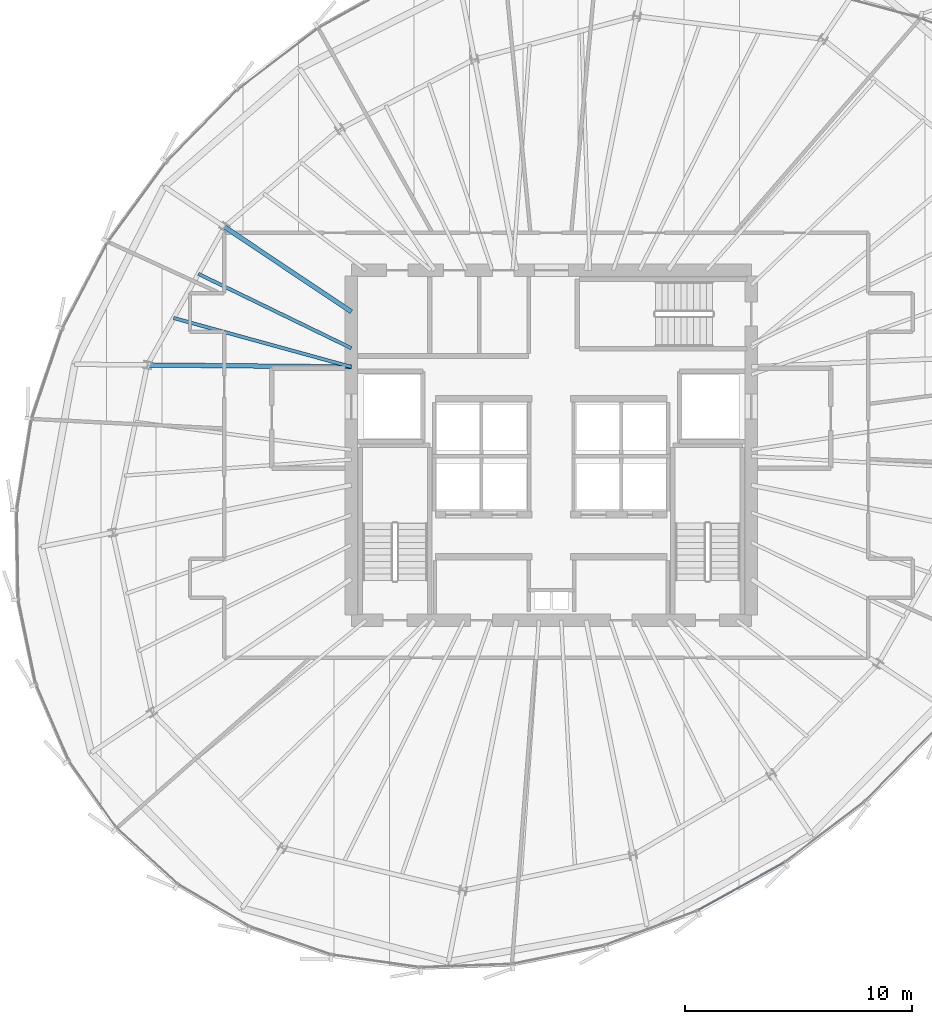
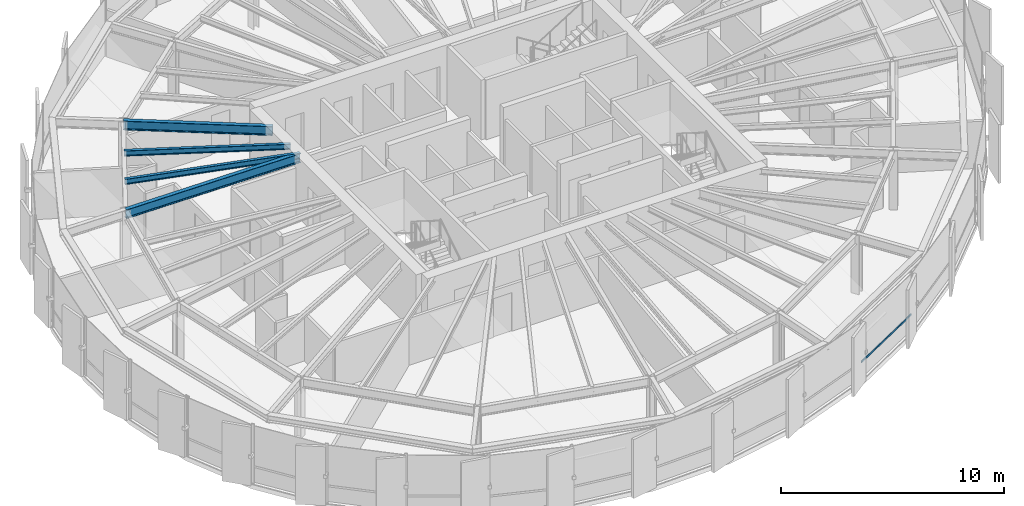
# One storey, part 13 of 37: 4 beams, 1 member, 1 element without a shape of its own.
"""IFC4 building model written with IfcOpenShell, lengths in metres."""

from ifc_helpers import new_model, si_unit, direction, frame, origin, origin_2d, place, context, subcontext, project, spatial, hollow_rectangle, i_section, extrude, source, transform, mapped, material, layer, layer_set, material_profile, profile_set, type_object, element, aggregate, save


model = new_model("IFC4")

# Units and contexts
model_context = context("Model", 3, precision=1e-05, world=origin(), true_north=direction((0.0, 1.0)))
body_context = subcontext(model_context, "Body", "Model", "MODEL_VIEW")
ifc_project = project(units=[si_unit("LENGTHUNIT", "METRE"), si_unit("AREAUNIT", "SQUARE_METRE"), si_unit("VOLUMEUNIT", "CUBIC_METRE"), si_unit("PLANEANGLEUNIT", "RADIAN"), si_unit("MASSUNIT", "GRAM", prefix="KILO"), si_unit("THERMODYNAMICTEMPERATUREUNIT", "KELVIN")], contexts=[model_context])

# Site, building, storey
site_placement = place(None, origin())
site = spatial("IfcSite", under=ifc_project, at=site_placement, CompositionType="ELEMENT")
building_placement = place(site_placement, origin())
building = spatial("IfcBuilding", under=site, at=building_placement, Name="Kethvar Cultural Tower", CompositionType="ELEMENT")
storey_placement = place(building_placement, frame((0.0, 0.0, 200.89990234375)))
storey = spatial("IfcBuildingStorey", under=building, at=storey_placement, Name="L52", CompositionType="ELEMENT", Elevation=200.89990234375)

# Beams
ifc_material_1 = material(Name="Steel S355J2", Category="steel")
ifc_material_profile_1 = material_profile(ifc_material_1, i_section(OverallWidth=0.199951171875, OverallDepth=0.5, WebThickness=0.01025390625, FlangeThickness=0.01611328125, FilletRadius=0.02099609375, at=origin_2d()), Name="Steel S355J2 — IPE500")
ifc_profile_set_1 = profile_set([ifc_material_profile_1], Name="Steel S355J2 — IPE500")
beam_type_1 = type_object("IfcBeamType", Name="BM-IPE500", PredefinedType="BEAM", material=ifc_profile_set_1)
shared_shape_1 = source(origin(), body_context, "Body", "SweptSolid", [
    extrude(i_section(OverallWidth=0.199951171875, OverallDepth=0.5, WebThickness=0.01025390625, FlangeThickness=0.01611328125, FilletRadius=0.02099609375, at=origin_2d()), origin(), (0.0, 0.0, 1.0), 6.713134765625),
])
beam_1_placement = place(storey_placement, frame((38.0, 33.679931640625, 3.008056640625), z_axis=(-0.831479157792, 0.55555594692, 0.0), x_axis=(-0.55555594692, -0.831479157792, 0.0)))
element("IfcBeam", 1, at=beam_1_placement, inside=storey, type_object=beam_type_1, Name="L52 Primary Radial Beam RB-07", PredefinedType="BEAM", context=body_context, shape_type="MappedRepresentation", body=[
    mapped(shared_shape_1, transform((0.0, 0.0, 0.0), scale=1.0)),
])
shared_shape_2 = source(origin(), body_context, "Body", "SweptSolid", [
    extrude(i_section(OverallWidth=0.199951171875, OverallDepth=0.5, WebThickness=0.01025390625, FlangeThickness=0.01611328125, FilletRadius=0.02099609375, at=origin_2d()), origin(), (0.0, 0.0, 1.0), 8.9755859375),
])
beam_2_placement = place(storey_placement, frame((38.0, 31.25, 3.008056640625), z_axis=(-0.999954421893, 0.00954746755, 0.0), x_axis=(-0.00954746755, -0.999954421893, 0.0)))
element("IfcBeam", 2, at=beam_2_placement, inside=storey, type_object=beam_type_1, Name="L52 Primary Radial Beam RB-08", PredefinedType="BEAM", context=body_context, shape_type="MappedRepresentation", body=[
    mapped(shared_shape_2, transform((0.0, 0.0, 0.0), scale=1.0)),
])
ifc_material_profile_2 = material_profile(ifc_material_1, i_section(OverallWidth=0.14990234375, OverallDepth=0.300048828125, WebThickness=0.007080078125, FlangeThickness=0.0107421875, FilletRadius=0.014892578125, at=origin_2d()), Name="Steel S355J2 — IPE300")
ifc_profile_set_2 = profile_set([ifc_material_profile_2], Name="Steel S355J2 — IPE300")
beam_type_2 = type_object("IfcBeamType", Name="BM-J300", PredefinedType="JOIST", material=ifc_profile_set_2)
shared_shape_3 = source(origin(), body_context, "Body", "SweptSolid", [
    extrude(i_section(OverallWidth=0.14990234375, OverallDepth=0.300048828125, WebThickness=0.007080078125, FlangeThickness=0.0107421875, FilletRadius=0.014892578125, at=origin_2d()), origin(), (0.0, 0.0, 1.0), 7.48779296875),
])
beam_3_placement = place(storey_placement, frame((38.0, 32.073486328125, 3.108154296875), z_axis=(-0.8995385432, 0.436841400623, 0.0), x_axis=(-0.436841400623, -0.8995385432, 0.0)))
element("IfcBeam", 3, at=beam_3_placement, inside=storey, type_object=beam_type_2, Name="L52 Composite Floor Joist J-07A", PredefinedType="JOIST", context=body_context, shape_type="MappedRepresentation", body=[
    mapped(shared_shape_3, transform((0.0, 0.0, 0.0), scale=1.0)),
])
shared_shape_4 = source(origin(), body_context, "Body", "SweptSolid", [
    extrude(i_section(OverallWidth=0.14990234375, OverallDepth=0.300048828125, WebThickness=0.007080078125, FlangeThickness=0.0107421875, FilletRadius=0.014892578125, at=origin_2d()), origin(), (0.0, 0.0, 1.0), 8.111572265625),
])
beam_4_placement = place(storey_placement, frame((38.0, 31.25, 3.108154296875), z_axis=(-0.96420462331, 0.265159281164, 0.0), x_axis=(-0.265159281164, -0.96420462331, 0.0)))
element("IfcBeam", 4, at=beam_4_placement, inside=storey, type_object=beam_type_2, Name="L52 Composite Floor Joist J-07B", PredefinedType="JOIST", context=body_context, shape_type="MappedRepresentation", body=[
    mapped(shared_shape_4, transform((0.0, 0.0, 0.0), scale=1.0)),
])

# Curtain wall, member
ifc_material_2 = material(Name="Aluminium 6063-T6", Category="aluminium")
ifc_layer = layer(ifc_material_2, 0.179931640625, Name="Aluminium 6063-T6", Category="aluminium")
ifc_layer_set = layer_set([ifc_layer], Name="Aluminium 6063-T6 (180 mm)")
curtain_wall_type = type_object("IfcCurtainWallType", Name="CW-SYS-04-Z34", PredefinedType="NOTDEFINED", material=ifc_layer_set)
curtain_wall_placement = place(storey_placement, origin())
curtain_wall = element("IfcCurtainWall", 5, at=curtain_wall_placement, inside=storey, type_object=curtain_wall_type, Name="L52 Curtain Wall Run 05", PredefinedType="NOTDEFINED")
ifc_material_profile_3 = material_profile(ifc_material_2, hollow_rectangle(XDim=0.050048828125, YDim=0.10009765625, WallThickness=0.00390625, at=origin_2d()), Name="Aluminium 6063-T6 — RHS100x50x4")
ifc_profile_set_3 = profile_set([ifc_material_profile_3], Name="Aluminium 6063-T6 — RHS100x50x4")
member_type = type_object("IfcMemberType", Name="CW-SYS-04-Z34-TRN", PredefinedType="USERDEFINED", material=ifc_profile_set_3)
shared_shape_5 = source(origin(), body_context, "Body", "SweptSolid", [
    extrude(hollow_rectangle(XDim=0.050048828125, YDim=0.10009765625, WallThickness=0.00390625, at=origin_2d()), origin(), (0.0, 0.0, 1.0), 4.32568359375),
])
member_placement = place(storey_placement, frame((53.256591796875, 7.339111328125, 0.9501953125), z_axis=(0.874524412816, 0.484981495923, 0.0), x_axis=(-0.484981495923, 0.874524412816, 0.0)))
member = element("IfcMember", 6, at=member_placement, type_object=member_type, Name="CW-L52-R05 Transom 4", ObjectType="TRANSOM", PredefinedType="USERDEFINED", context=body_context, shape_type="MappedRepresentation", body=[
    mapped(shared_shape_5, transform((0.0, 0.0, 0.0), scale=1.0)),
])
aggregate(curtain_wall, [member])

save(model, "model.ifc")
